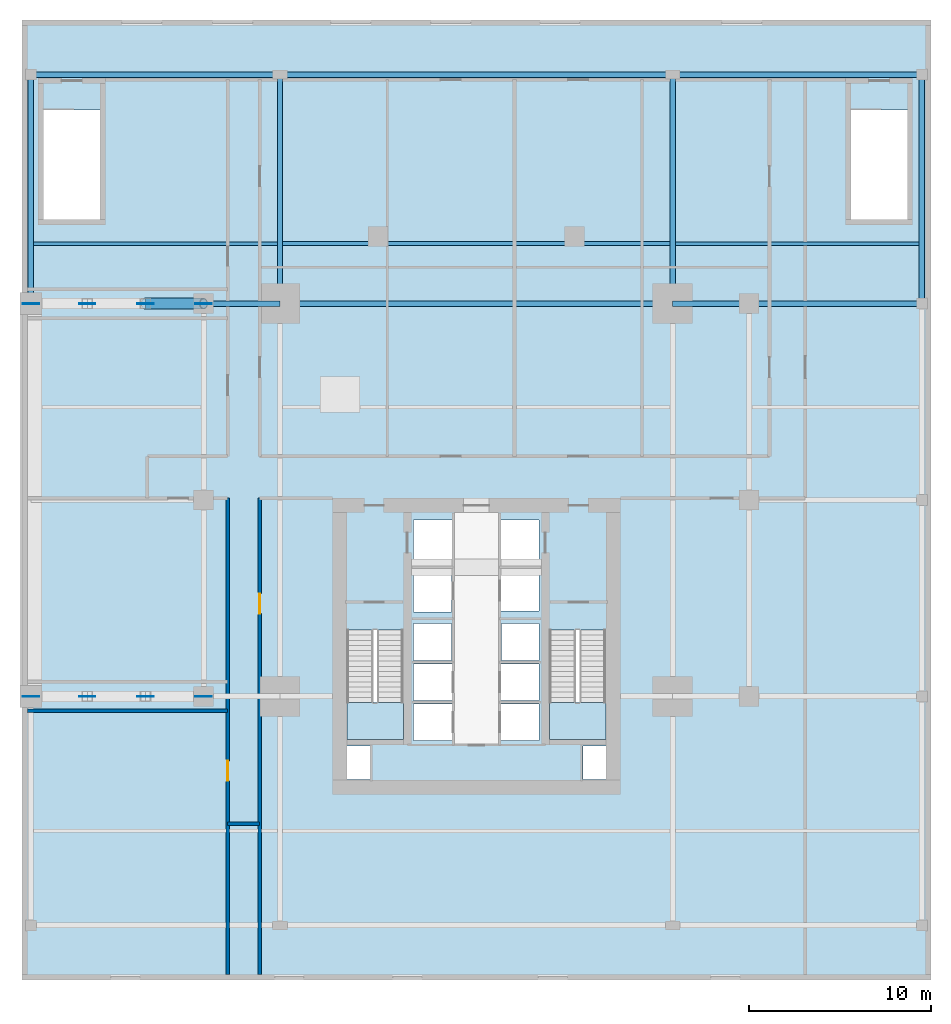
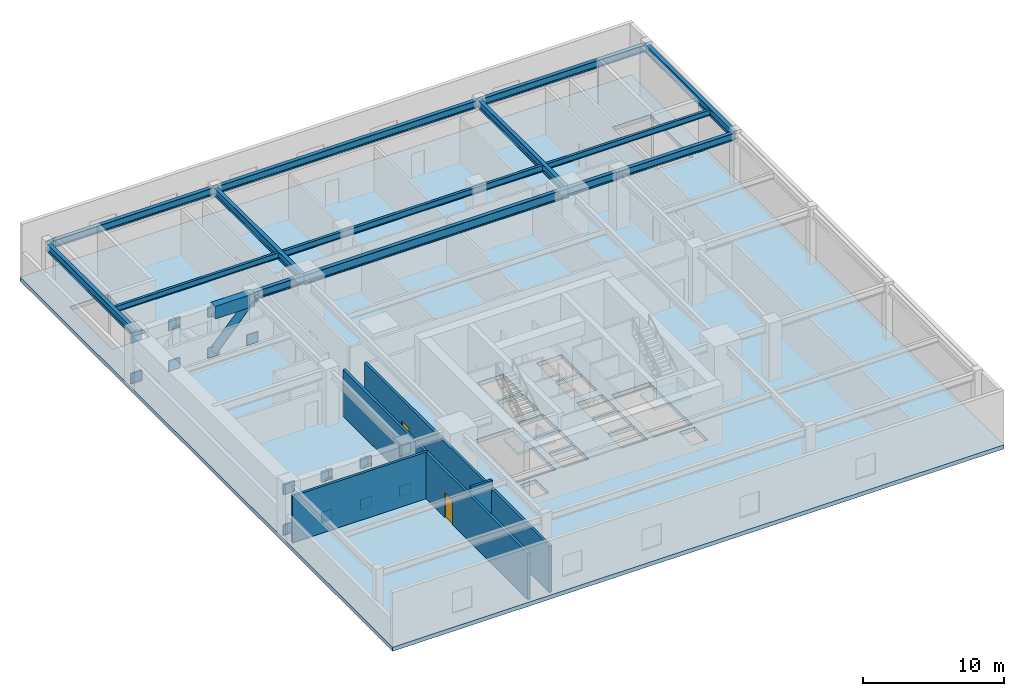
# One storey, part 2 of 7: 16 plates, 15 beams, 4 walls, 3 slabs, 2 doors, 1 member, 2 openings, 2 elements without a shape of their own.
"""IFC4 building model written with IfcOpenShell, lengths in metres."""

from ifc_helpers import new_model, si_unit, direction, frame, frame_2d, origin, origin_2d, place, context, subcontext, project, spatial, polyline, rectangle, hollow_rectangle, hollow_circle, i_section, outline, extrude, source, transform, mapped, material, layer, layer_set, material_profile, profile_set, type_object, type_shapes, element, fill, aggregate, save


model = new_model("IFC4")

# Units and contexts
model_context = context("Model", 3, precision=1e-05, world=origin(), true_north=direction((0.0, 1.0)))
body_context = subcontext(model_context, "Body", "Model", "MODEL_VIEW")
ifc_project = project(units=[si_unit("LENGTHUNIT", "METRE"), si_unit("AREAUNIT", "SQUARE_METRE"), si_unit("VOLUMEUNIT", "CUBIC_METRE"), si_unit("PLANEANGLEUNIT", "RADIAN"), si_unit("MASSUNIT", "GRAM", prefix="KILO")], contexts=[model_context])

# Site, building, storey
site_placement = place(None, origin())
site = spatial("IfcSite", under=ifc_project, at=site_placement, CompositionType="ELEMENT")
building_placement = place(site_placement, origin())
building = spatial("IfcBuilding", under=site, at=building_placement, Name="Krantzveldt Concourse Tower", CompositionType="ELEMENT")
storey_placement = place(building_placement, frame((0.0, 0.0, 20.0)))
storey = spatial("IfcBuildingStorey", under=building, at=storey_placement, Name="L04", CompositionType="ELEMENT", Elevation=20.0)

# Beams
ifc_material_1 = material(Name="Steel S355J2", Category="steel")
ifc_material_profile_1 = material_profile(ifc_material_1, i_section(OverallWidth=0.300048828125, OverallDepth=0.800048828125, WebThickness=0.017578125, FlangeThickness=0.032958984375, FilletRadius=0.030029296875, at=origin_2d()), Name="Steel S355J2", Category="steel")
ifc_profile_set_1 = profile_set([ifc_material_profile_1], Name="Steel S355J2 - HEB 800")
beam_type_1 = type_object("IfcBeamType", Name="BM-B-HEB800", PredefinedType="BEAM", material=ifc_profile_set_1)
shared_shape_1 = source(origin(), body_context, "Body", "SweptSolid", [
    extrude(i_section(OverallWidth=0.300048828125, OverallDepth=0.800048828125, WebThickness=0.017578125, FlangeThickness=0.032958984375, FilletRadius=0.030029296875, at=origin_2d()), origin(), (0.0, 0.0, 1.0), 21.60009765625),
])
type_shapes(beam_type_1, [shared_shape_1])
beam_1_placement = place(storey_placement, frame((25.199951171875, 37.5, 4.320068359375), z_axis=(1.0, 0.0, 0.0), x_axis=(0.0, 1.0, 0.0)))
element("IfcBeam", 1, at=beam_1_placement, inside=storey, type_object=beam_type_1, Name="L04 Podium Primary Girder BG-MN", PredefinedType="BEAM", context=body_context, shape_type="MappedRepresentation", body=[
    mapped(shared_shape_1, transform((0.0, 0.0, 0.0), x_axis=(1.0, 0.0, 0.0), y_axis=(0.0, 1.0, 0.0), z_axis=(0.0, 0.0, 1.0), scale=1.0)),
])
ifc_material_profile_2 = material_profile(ifc_material_1, i_section(OverallWidth=0.300048828125, OverallDepth=0.699951171875, WebThickness=0.01708984375, FlangeThickness=0.031982421875, FilletRadius=0.027099609375, at=origin_2d()), Name="Steel S355J2", Category="steel")
ifc_profile_set_2 = profile_set([ifc_material_profile_2], Name="Steel S355J2 - HEB 700")
beam_type_2 = type_object("IfcBeamType", Name="BM-B-HEB700", PredefinedType="BEAM", material=ifc_profile_set_2)
shared_shape_2 = source(origin(), body_context, "Body", "SweptSolid", [
    extrude(i_section(OverallWidth=0.300048828125, OverallDepth=0.699951171875, WebThickness=0.01708984375, FlangeThickness=0.031982421875, FilletRadius=0.027099609375, at=origin_2d()), origin(), (0.0, 0.0, 1.0), 4.199951171875),
])
type_shapes(beam_type_2, [shared_shape_2])
for number, where, z_axis, x_axis, name in (
    (2, (21.0, 37.5, 4.3701171875), (1.0, 0.0, 0.0), (0.0, 1.0, 0.0), "L04 Podium Primary Girder BG-RL3"),
    (3, (46.800048828125, 37.5, 4.3701171875), (1.0, 0.0, 0.0), (0.0, 1.0, 0.0), "L04 Podium Primary Girder BG-RR3"),
):
    element("IfcBeam", number, at=place(storey_placement, frame(where, z_axis=z_axis, x_axis=x_axis)), inside=storey, type_object=beam_type_2, Name=name, PredefinedType="BEAM", context=body_context, shape_type="MappedRepresentation", body=[
        mapped(shared_shape_2, transform((0.0, 0.0, 0.0), x_axis=(1.0, 0.0, 0.0), y_axis=(0.0, 1.0, 0.0), z_axis=(0.0, 0.0, 1.0), scale=1.0)),
    ])
ifc_material_2 = material(Name="Steel S355JR", Category="steel")
ifc_material_profile_3 = material_profile(ifc_material_2, i_section(OverallWidth=0.300048828125, OverallDepth=0.68994140625, WebThickness=0.014404296875, FlangeThickness=0.027099609375, FilletRadius=0.027099609375, at=origin_2d()), Name="Steel S355JR", Category="steel")
ifc_profile_set_3 = profile_set([ifc_material_profile_3], Name="Steel S355JR - HEA 700")
beam_type_3 = type_object("IfcBeamType", Name="BM-B-HEA700", PredefinedType="BEAM", material=ifc_profile_set_3)
shared_shape_3 = source(origin(), body_context, "Body", "SweptSolid", [
    extrude(i_section(OverallWidth=0.300048828125, OverallDepth=0.68994140625, WebThickness=0.014404296875, FlangeThickness=0.027099609375, FilletRadius=0.027099609375, at=origin_2d()), origin(), (0.0, 0.0, 1.0), 12.60009765625),
])
type_shapes(beam_type_3, [shared_shape_3])
for number, where, z_axis, x_axis, name in (
    (4, (25.199951171875, 37.5, 4.375), (0.0, 1.0, 0.0), (-1.0, 0.0, 0.0), "L04 Podium Primary Girder BG-PN1"),
    (5, (46.800048828125, 37.5, 4.375), (0.0, 1.0, 0.0), (-1.0, 0.0, 0.0), "L04 Podium Primary Girder BG-PN2"),
    (6, (11.5, 37.5, 4.375), (0.0, 1.0, 0.0), (-1.0, 0.0, 0.0), "L04 Podium Primary Girder BG-IW-3"),
    (7, (60.5, 37.5, 4.375), (0.0, 1.0, 0.0), (-1.0, 0.0, 0.0), "L04 Podium Primary Girder BG-IE-4"),
):
    element("IfcBeam", number, at=place(storey_placement, frame(where, z_axis=z_axis, x_axis=x_axis)), inside=storey, type_object=beam_type_3, Name=name, PredefinedType="BEAM", context=body_context, shape_type="MappedRepresentation", body=[
        mapped(shared_shape_3, transform((0.0, 0.0, 0.0), x_axis=(1.0, 0.0, 0.0), y_axis=(0.0, 1.0, 0.0), z_axis=(0.0, 0.0, 1.0), scale=1.0)),
    ])
ifc_material_profile_4 = material_profile(ifc_material_2, i_section(OverallWidth=0.300048828125, OverallDepth=0.639892578125, WebThickness=0.013427734375, FlangeThickness=0.02587890625, FilletRadius=0.027099609375, at=origin_2d()), Name="Steel S355JR", Category="steel")
ifc_profile_set_4 = profile_set([ifc_material_profile_4], Name="Steel S355JR - HEA 650")
beam_type_4 = type_object("IfcBeamType", Name="BM-B-HEA650", PredefinedType="BEAM", material=ifc_profile_set_4)
shared_shape_4 = source(origin(), body_context, "Body", "SweptSolid", [
    extrude(i_section(OverallWidth=0.300048828125, OverallDepth=0.639892578125, WebThickness=0.013427734375, FlangeThickness=0.02587890625, FilletRadius=0.027099609375, at=origin_2d()), origin(), (0.0, 0.0, 1.0), 13.699951171875),
])
for number, where, z_axis, x_axis, name in (
    (8, (11.5, 50.10009765625, 4.39990234375), (1.0, 0.0, 0.0), (0.0, 1.0, 0.0), "L04 Podium Primary Girder BG-NN1"),
    (9, (46.800048828125, 50.10009765625, 4.39990234375), (1.0, 0.0, 0.0), (0.0, 1.0, 0.0), "L04 Podium Primary Girder BG-NN3"),
):
    element("IfcBeam", number, at=place(storey_placement, frame(where, z_axis=z_axis, x_axis=x_axis)), inside=storey, type_object=beam_type_4, Name=name, PredefinedType="BEAM", context=body_context, shape_type="MappedRepresentation", body=[
        mapped(shared_shape_4, transform((0.0, 0.0, 0.0), x_axis=(1.0, 0.0, 0.0), y_axis=(0.0, 1.0, 0.0), z_axis=(0.0, 0.0, 1.0), scale=1.0)),
    ])
shared_shape_5 = source(origin(), body_context, "Body", "SweptSolid", [
    extrude(i_section(OverallWidth=0.300048828125, OverallDepth=0.639892578125, WebThickness=0.013427734375, FlangeThickness=0.02587890625, FilletRadius=0.027099609375, at=origin_2d()), origin(), (0.0, 0.0, 1.0), 21.60009765625),
])
beam_2_placement = place(storey_placement, frame((25.199951171875, 50.10009765625, 4.39990234375), z_axis=(1.0, 0.0, 0.0), x_axis=(0.0, 1.0, 0.0)))
element("IfcBeam", 10, at=beam_2_placement, inside=storey, type_object=beam_type_4, Name="L04 Podium Primary Girder BG-NN2", PredefinedType="BEAM", context=body_context, shape_type="MappedRepresentation", body=[
    mapped(shared_shape_5, transform((0.0, 0.0, 0.0), x_axis=(1.0, 0.0, 0.0), y_axis=(0.0, 1.0, 0.0), z_axis=(0.0, 0.0, 1.0), scale=1.0)),
])
shared_shape_6 = source(origin(), body_context, "Body", "SweptSolid", [
    extrude(i_section(OverallWidth=0.300048828125, OverallDepth=0.639892578125, WebThickness=0.013427734375, FlangeThickness=0.02587890625, FilletRadius=0.027099609375, at=origin_2d()), origin(), (0.0, 0.0, 1.0), 9.5),
])
type_shapes(beam_type_4, [shared_shape_4, shared_shape_5, shared_shape_6])
beam_3_placement = place(storey_placement, frame((51.0, 37.5, 4.39990234375), z_axis=(1.0, 0.0, 0.0), x_axis=(0.0, 1.0, 0.0)))
element("IfcBeam", 11, at=beam_3_placement, inside=storey, type_object=beam_type_4, Name="L04 Podium Primary Girder BG-ME3", PredefinedType="BEAM", context=body_context, shape_type="MappedRepresentation", body=[
    mapped(shared_shape_6, transform((0.0, 0.0, 0.0), x_axis=(1.0, 0.0, 0.0), y_axis=(0.0, 1.0, 0.0), z_axis=(0.0, 0.0, 1.0), scale=1.0)),
])
ifc_material_profile_5 = material_profile(ifc_material_2, i_section(OverallWidth=0.2099609375, OverallDepth=0.550048828125, WebThickness=0.010986328125, FlangeThickness=0.01708984375, FilletRadius=0.02392578125, at=origin_2d()), Name="Steel S355JR", Category="steel")
ifc_profile_set_5 = profile_set([ifc_material_profile_5], Name="Steel S355JR - IPE 550")
beam_type_5 = type_object("IfcBeamType", Name="BM-J-IPE550", PredefinedType="JOIST", material=ifc_profile_set_5)
shared_shape_7 = source(origin(), body_context, "Body", "SweptSolid", [
    extrude(i_section(OverallWidth=0.2099609375, OverallDepth=0.550048828125, WebThickness=0.010986328125, FlangeThickness=0.01708984375, FilletRadius=0.02392578125, at=origin_2d()), origin(), (0.0, 0.0, 1.0), 21.2998046875),
])
type_shapes(beam_type_5, [shared_shape_7])
beam_4_placement = place(storey_placement, frame((25.35009765625, 40.800048828125, 4.445068359375), z_axis=(1.0, 0.0, 0.0), x_axis=(0.0, 1.0, 0.0)))
element("IfcBeam", 12, at=beam_4_placement, inside=storey, type_object=beam_type_5, Name="L04 Central Floor Joist 3", PredefinedType="JOIST", context=body_context, shape_type="MappedRepresentation", body=[
    mapped(shared_shape_7, transform((0.0, 0.0, 0.0), x_axis=(1.0, 0.0, 0.0), y_axis=(0.0, 1.0, 0.0), z_axis=(0.0, 0.0, 1.0), scale=1.0)),
])
ifc_material_profile_6 = material_profile(ifc_material_2, i_section(OverallWidth=0.199951171875, OverallDepth=0.5, WebThickness=0.01025390625, FlangeThickness=0.01611328125, FilletRadius=0.02099609375, at=origin_2d()), Name="Steel S355JR", Category="steel")
ifc_profile_set_6 = profile_set([ifc_material_profile_6], Name="Steel S355JR - IPE 500")
beam_type_6 = type_object("IfcBeamType", Name="BM-J-IPE500", PredefinedType="JOIST", material=ifc_profile_set_6)
shared_shape_8 = source(origin(), body_context, "Body", "SweptSolid", [
    extrude(i_section(OverallWidth=0.199951171875, OverallDepth=0.5, WebThickness=0.01025390625, FlangeThickness=0.01611328125, FilletRadius=0.02099609375, at=origin_2d()), origin(), (0.0, 0.0, 1.0), 13.400146484375),
])
type_shapes(beam_type_6, [shared_shape_8])
for number, where, z_axis, x_axis, name in (
    (13, (11.64990234375, 40.800048828125, 4.469970703125), (1.0, 0.0, 0.0), (0.0, 1.0, 0.0), "L04 West Inner Joist 3"),
    (14, (46.949951171875, 40.800048828125, 4.469970703125), (1.0, 0.0, 0.0), (0.0, 1.0, 0.0), "L04 East Inner Joist 3"),
):
    element("IfcBeam", number, at=place(storey_placement, frame(where, z_axis=z_axis, x_axis=x_axis)), inside=storey, type_object=beam_type_6, Name=name, PredefinedType="JOIST", context=body_context, shape_type="MappedRepresentation", body=[
        mapped(shared_shape_8, transform((0.0, 0.0, 0.0), x_axis=(1.0, 0.0, 0.0), y_axis=(0.0, 1.0, 0.0), z_axis=(0.0, 0.0, 1.0), scale=1.0)),
    ])
ifc_material_profile_7 = material_profile(ifc_material_1, hollow_rectangle(XDim=0.60009765625, YDim=1.10009765625, WallThickness=0.054931640625, at=origin_2d()), Name="Steel S355J2", Category="steel")
ifc_profile_set_7 = profile_set([ifc_material_profile_7], Name="Steel S355J2 - RHS 1100x600x55")
beam_type_7 = type_object("IfcBeamType", Name="BM-TT-CHD1100", PredefinedType="BEAM", material=ifc_profile_set_7)
shared_shape_9 = source(origin(), body_context, "Body", "SweptSolid", [
    extrude(hollow_rectangle(XDim=0.60009765625, YDim=1.10009765625, WallThickness=0.054931640625, at=origin_2d()), origin(), (0.0, 0.0, 1.0), 3.199951171875),
])
type_shapes(beam_type_7, [shared_shape_9])
beam_5_placement = place(storey_placement, frame((17.800048828125, 37.5, 4.169921875), z_axis=(1.0, 0.0, 0.0), x_axis=(0.0, 1.0, 0.0)))
element("IfcBeam", 15, at=beam_5_placement, inside=storey, type_object=beam_type_7, Name="TT2-TC-3", PredefinedType="BEAM", context=body_context, shape_type="MappedRepresentation", body=[
    mapped(shared_shape_9, transform((0.0, 0.0, 0.0), x_axis=(1.0, 0.0, 0.0), y_axis=(0.0, 1.0, 0.0), z_axis=(0.0, 0.0, 1.0), scale=1.0)),
])

# Member
ifc_material_profile_8 = material_profile(ifc_material_1, hollow_circle(Radius=0.304931640625, WallThickness=0.044921875, at=origin_2d()), Name="Steel S355J2", Category="steel")
ifc_profile_set_8 = profile_set([ifc_material_profile_8], Name="Steel S355J2 - CHS 610x45")
member_type = type_object("IfcMemberType", Name="MB-OB-CHS610", PredefinedType="BRACE", material=ifc_profile_set_8)
shared_shape_10 = source(origin(), body_context, "Body", "SweptSolid", [
    extrude(hollow_circle(Radius=0.304931640625, WallThickness=0.044921875, at=origin_2d()), origin(), (0.0, 0.0, 1.0), 4.757080078125),
])
type_shapes(member_type, [shared_shape_10])
member_placement = place(storey_placement, frame((17.800048828125, 37.5, 0.64990234375), z_axis=(0.672665130635, 0.0, 0.739947040016), x_axis=(0.0, 1.0, 0.0)))
element("IfcMember", 16, at=member_placement, inside=storey, type_object=member_type, Name="Brace Diagonal TT2-DG-3", PredefinedType="BRACE", context=body_context, shape_type="MappedRepresentation", body=[
    mapped(shared_shape_10, transform((0.0, 0.0, 0.0), x_axis=(1.0, 0.0, 0.0), y_axis=(0.0, 1.0, 0.0), z_axis=(0.0, 0.0, 1.0), scale=1.0)),
])

# Stair, slab
ifc_material_3 = material(Name="Precast concrete C40/50", Category="concrete")
stair_type = type_object("IfcStairType", Name="STR-CORE-DOGLEG", PredefinedType="HALF_TURN_STAIR", material=ifc_material_3)
stair_1_placement = place(storey_placement, origin())
stair_1 = element("IfcStair", 17, at=stair_1_placement, inside=storey, type_object=stair_type, Name="L04 Protected Escape Stair ST-1", PredefinedType="HALF_TURN_STAIR")
ifc_layer_1 = layer(ifc_material_3, 0.199951171875, Name="Precast concrete C40/50", Category="concrete")
ifc_layer_set_1 = layer_set([ifc_layer_1], Name="Precast concrete C40/50 (SL-LANDING-200)")
slab_type_1 = type_object("IfcSlabType", Name="SL-LANDING-200", PredefinedType="LANDING", material=ifc_layer_set_1)
slab_1_placement = place(storey_placement, frame((0.0, 0.0, 2.300048828125)))
slab_1 = element("IfcSlab", 18, at=slab_1_placement, type_object=slab_type_1, Name="ST-1 landing 1", PredefinedType="LANDING", context=body_context, shape_type="SweptSolid", body=[
    extrude(outline(polyline([(28.8798828125, 15.56005859375), (28.8798828125, 13.52001953125), (31.97998046875, 13.52001953125), (31.97998046875, 15.56005859375), (28.8798828125, 15.56005859375)])), origin(), (0.0, 0.0, 1.0), 0.199951171875),
])
aggregate(stair_1, [slab_1])

stair_2_placement = place(storey_placement, origin())
stair_2 = element("IfcStair", 19, at=stair_2_placement, inside=storey, type_object=stair_type, Name="L04 Protected Escape Stair ST-2", PredefinedType="HALF_TURN_STAIR")
slab_2_placement = place(storey_placement, frame((0.0, 0.0, 2.300048828125)))
slab_2 = element("IfcSlab", 20, at=slab_2_placement, type_object=slab_type_1, Name="ST-2 landing 1", PredefinedType="LANDING", context=body_context, shape_type="SweptSolid", body=[
    extrude(outline(polyline([(40.02001953125, 15.56005859375), (40.02001953125, 13.52001953125), (43.1201171875, 13.52001953125), (43.1201171875, 15.56005859375), (40.02001953125, 15.56005859375)])), origin(), (0.0, 0.0, 1.0), 0.199951171875),
])
aggregate(stair_2, [slab_2])

# Slab
ifc_material_4 = material(Name="Concrete C50/60", Category="concrete")
ifc_layer_2 = layer(ifc_material_4, 0.35009765625, Name="Concrete C50/60", Category="concrete")
ifc_layer_set_2 = layer_set([ifc_layer_2], Name="Concrete C50/60 (SL-SL-POD350)")
slab_type_2 = type_object("IfcSlabType", Name="SL-SL-POD350", PredefinedType="FLOOR", material=ifc_layer_set_2)
slab_3_placement = place(storey_placement, frame((0.0, 0.0, -0.35009765625)))
element("IfcSlab", 21, at=slab_3_placement, inside=storey, type_object=slab_type_2, Name="SL-L04-MAIN", PredefinedType="FLOOR", context=body_context, shape_type="SweptSolid", body=[
    extrude(outline(polyline([(11.0, 0.300048828125), (61.0, 0.300048828125), (61.0, 53.10009765625), (11.0, 53.10009765625), (11.0, 0.300048828125)]), holes=[polyline([(28.8798828125, 19.547607421875), (28.8798828125, 13.52001953125), (31.97998046875, 13.52001953125), (31.97998046875, 19.547607421875), (28.8798828125, 19.547607421875)]), polyline([(40.02001953125, 19.547607421875), (40.02001953125, 13.52001953125), (43.1201171875, 13.52001953125), (43.1201171875, 19.547607421875), (40.02001953125, 19.547607421875)]), polyline([(12.199951171875, 48.1474609375), (12.199951171875, 42.1201171875), (15.300048828125, 42.1201171875), (15.300048828125, 48.1474609375), (12.199951171875, 48.1474609375)]), polyline([(56.60009765625, 48.1474609375), (56.60009765625, 42.1201171875), (59.699951171875, 42.1201171875), (59.699951171875, 48.1474609375), (56.60009765625, 48.1474609375)]), polyline([(32.550048828125, 23.10009765625), (34.64990234375, 23.10009765625), (34.64990234375, 25.60009765625), (32.550048828125, 25.60009765625), (32.550048828125, 23.10009765625)]), polyline([(37.35009765625, 23.10009765625), (39.449951171875, 23.10009765625), (39.449951171875, 25.60009765625), (37.35009765625, 25.60009765625), (37.35009765625, 23.10009765625)]), polyline([(37.35009765625, 20.60009765625), (39.449951171875, 20.60009765625), (39.449951171875, 22.89990234375), (37.35009765625, 22.89990234375), (37.35009765625, 20.60009765625)]), polyline([(32.550048828125, 13.47998046875), (34.64990234375, 13.47998046875), (34.64990234375, 15.47998046875), (32.550048828125, 15.47998046875), (32.550048828125, 13.47998046875)]), polyline([(32.550048828125, 15.679931640625), (34.64990234375, 15.679931640625), (34.64990234375, 17.679931640625), (32.550048828125, 17.679931640625), (32.550048828125, 15.679931640625)]), polyline([(37.35009765625, 13.47998046875), (39.449951171875, 13.47998046875), (39.449951171875, 15.47998046875), (37.35009765625, 15.47998046875), (37.35009765625, 13.47998046875)]), polyline([(37.35009765625, 15.679931640625), (39.449951171875, 15.679931640625), (39.449951171875, 17.679931640625), (37.35009765625, 17.679931640625), (37.35009765625, 15.679931640625)]), polyline([(32.550048828125, 20.550048828125), (34.6201171875, 20.550048828125), (34.6201171875, 22.89990234375), (32.550048828125, 22.89990234375), (32.550048828125, 20.550048828125)]), polyline([(32.550048828125, 17.8798828125), (34.6201171875, 17.8798828125), (34.6201171875, 19.919921875), (32.550048828125, 19.919921875), (32.550048828125, 17.8798828125)]), polyline([(37.3798828125, 17.8798828125), (39.449951171875, 17.8798828125), (39.449951171875, 19.919921875), (37.3798828125, 19.919921875), (37.3798828125, 17.8798828125)]), polyline([(28.8798828125, 11.320068359375), (30.139892578125, 11.320068359375), (30.139892578125, 13.159912109375), (28.8798828125, 13.159912109375), (28.8798828125, 11.320068359375)]), polyline([(41.860107421875, 11.320068359375), (43.1201171875, 11.320068359375), (43.1201171875, 13.159912109375), (41.860107421875, 13.159912109375), (41.860107421875, 11.320068359375)])]), origin(), (0.0, 0.0, 1.0), 0.35009765625),
])

# Plates
ifc_layer_3 = layer(ifc_material_1, 0.0400390625, Name="Steel S355J2", Category="steel")
ifc_layer_set_3 = layer_set([ifc_layer_3], Name="Steel S355J2 (PL-GUSSET-40)")
plate_type = type_object("IfcPlateType", Name="PL-GUSSET-40", PredefinedType="USERDEFINED", material=ifc_layer_set_3)
shared_shape_11 = source(origin(), body_context, "Body", "SweptSolid", [
    extrude(rectangle(XDim=0.89990234375, YDim=0.0400390625, at=origin_2d()), origin(), (0.0, 0.0, 1.0), 0.89990234375),
])
type_shapes(plate_type, [shared_shape_11])
for number, where, z_axis, x_axis, name in (
    (22, (11.5, 15.89990234375, 0.199951171875), (0.0, 0.0, 1.0), (1.0, 0.0, 0.0), "TT1-GPB-1"),
    (23, (11.5, 15.89990234375, 3.719970703125), (0.0, 0.0, 1.0), (1.0, 0.0, 0.0), "TT1-GTU-1"),
    (24, (14.60009765625, 15.89990234375, 0.199951171875), (0.0, 0.0, 1.0), (1.0, 0.0, 0.0), "TT1-GPB-2"),
    (25, (14.60009765625, 15.89990234375, 3.719970703125), (0.0, 0.0, 1.0), (1.0, 0.0, 0.0), "TT1-GTU-2"),
    (26, (17.800048828125, 15.89990234375, 0.199951171875), (0.0, 0.0, 1.0), (1.0, 0.0, 0.0), "TT1-GPB-3"),
    (27, (17.800048828125, 15.89990234375, 3.719970703125), (0.0, 0.0, 1.0), (1.0, 0.0, 0.0), "TT1-GTU-3"),
    (28, (21.0, 15.89990234375, 0.199951171875), (0.0, 0.0, 1.0), (1.0, 0.0, 0.0), "TT1-GPB-4"),
    (29, (21.0, 15.89990234375, 3.719970703125), (0.0, 0.0, 1.0), (1.0, 0.0, 0.0), "TT1-GTU-4"),
    (30, (11.5, 37.5, 0.199951171875), (0.0, 0.0, 1.0), (1.0, 0.0, 0.0), "TT2-GPB-1"),
    (31, (11.5, 37.5, 3.719970703125), (0.0, 0.0, 1.0), (1.0, 0.0, 0.0), "TT2-GTU-1"),
    (32, (14.60009765625, 37.5, 0.199951171875), (0.0, 0.0, 1.0), (1.0, 0.0, 0.0), "TT2-GPB-2"),
    (33, (14.60009765625, 37.5, 3.719970703125), (0.0, 0.0, 1.0), (1.0, 0.0, 0.0), "TT2-GTU-2"),
    (34, (17.800048828125, 37.5, 0.199951171875), (0.0, 0.0, 1.0), (1.0, 0.0, 0.0), "TT2-GPB-3"),
    (35, (17.800048828125, 37.5, 3.719970703125), (0.0, 0.0, 1.0), (1.0, 0.0, 0.0), "TT2-GTU-3"),
    (36, (21.0, 37.5, 0.199951171875), (0.0, 0.0, 1.0), (1.0, 0.0, 0.0), "TT2-GPB-4"),
    (37, (21.0, 37.5, 3.719970703125), (0.0, 0.0, 1.0), (1.0, 0.0, 0.0), "TT2-GTU-4"),
):
    element("IfcPlate", number, at=place(storey_placement, frame(where, z_axis=z_axis, x_axis=x_axis)), inside=storey, type_object=plate_type, Name=name, ObjectType="GUSSET PLATE", PredefinedType="USERDEFINED", context=body_context, shape_type="MappedRepresentation", body=[
        mapped(shared_shape_11, transform((0.0, 0.0, 0.0), x_axis=(1.0, 0.0, 0.0), y_axis=(0.0, 1.0, 0.0), z_axis=(0.0, 0.0, 1.0), scale=1.0)),
    ])

# Wall
ifc_material_5 = material(Name="Fire-rated gypsum plasterboard on steel stud", Category="steel")
ifc_layer_4 = layer(ifc_material_5, 0.199951171875, Name="Fire-rated gypsum plasterboard on steel stud", Category="steel")
ifc_layer_set_4 = layer_set([ifc_layer_4], Name="Fire-rated gypsum plasterboard on steel stud (WL-PART-FR200)")
wall_type = type_object("IfcWallType", Name="WL-PART-FR200", PredefinedType="PARTITIONING", material=ifc_layer_set_4)
wall_1_placement = place(storey_placement, frame((11.304931640625, 15.10009765625, 0.0), z_axis=(0.0, 0.0, 1.0), x_axis=(1.0, 0.0, 0.0)))
element("IfcWall", 38, at=wall_1_placement, inside=storey, type_object=wall_type, Name="WP-L04-TT1S", PredefinedType="PARTITIONING", context=body_context, shape_type="SweptSolid", body=[
    extrude(rectangle(XDim=11.01513671875, YDim=0.199951171875, at=frame_2d((5.507568359375, 0.0))), origin(), (0.0, 0.0, 1.0), 4.030029296875),
])

# Wall, opening, door
wall_2_placement = place(storey_placement, frame((22.320068359375, 0.60498046875, 0.0), z_axis=(0.0, 0.0, 1.0), x_axis=(0.0, 1.0, 0.0)))
wall_2 = element("IfcWall", 39, at=wall_2_placement, inside=storey, type_object=wall_type, Name="WP-L04-WLS", PredefinedType="PARTITIONING", context=body_context, shape_type="SweptSolid", body=[
    extrude(rectangle(XDim=26.195068359375, YDim=0.199951171875, at=frame_2d((13.09765625, 0.0))), origin(), (0.0, 0.0, 1.0), 4.02001953125),
])
opening_1_placement = place(wall_2_placement, frame((10.64501953125, 0.0, 0.0)))
opening_1 = element("IfcOpeningElement", 40, at=opening_1_placement, cuts=wall_2, Name="Opening D-FD110", PredefinedType="OPENING", context=body_context, shape_type="SweptSolid", body=[
    extrude(rectangle(XDim=1.10009765625, YDim=2.14990234375, at=frame_2d((0.550048828125, 1.074951171875))), frame((0.0, 0.10986328125, 0.0), z_axis=(0.0, -1.0, 0.0), x_axis=(1.0, 0.0, 0.0)), (0.0, 0.0, 1.0), 0.219970703125),
])
ifc_material_6 = material(Name="Galvanised steel", Category="steel")
door_type = type_object("IfcDoorType", Name="DR-FD120-1100", OperationType="SINGLE_SWING_LEFT", PredefinedType="DOOR", material=ifc_material_6)
door_1_placement = place(opening_1_placement, origin())
door_1 = element("IfcDoor", 41, at=door_1_placement, inside=storey, type_object=door_type, Name="DR-L04-CHIL1S", OperationType="SINGLE_SWING_LEFT", OverallHeight=2.14990234375, OverallWidth=1.10009765625, PredefinedType="DOOR", context=body_context, shape_type="SweptSolid", body=[
    extrude(rectangle(XDim=1.10009765625, YDim=2.14990234375, at=frame_2d((0.550048828125, 1.074951171875))), frame((0.0, 0.02490234375, 0.0), z_axis=(0.0, -1.0, 0.0), x_axis=(1.0, 0.0, 0.0)), (0.0, 0.0, 1.0), 0.050048828125),
])
fill(opening_1, door_1)

wall_3_placement = place(storey_placement, frame((24.080078125, 0.60498046875, 0.0), z_axis=(0.0, 0.0, 1.0), x_axis=(0.0, 1.0, 0.0)))
wall_3 = element("IfcWall", 42, at=wall_3_placement, inside=storey, type_object=wall_type, Name="WP-L04-WRS", PredefinedType="PARTITIONING", context=body_context, shape_type="SweptSolid", body=[
    extrude(rectangle(XDim=26.195068359375, YDim=0.199951171875, at=frame_2d((13.09765625, 0.0))), origin(), (0.0, 0.0, 1.0), 4.02001953125),
])
opening_2_placement = place(wall_3_placement, frame((19.844970703125, 0.0, 0.0)))
opening_2 = element("IfcOpeningElement", 43, at=opening_2_placement, cuts=wall_3, Name="Opening D-FD110", PredefinedType="OPENING", context=body_context, shape_type="SweptSolid", body=[
    extrude(rectangle(XDim=1.10009765625, YDim=2.14990234375, at=frame_2d((0.550048828125, 1.074951171875))), frame((0.0, 0.10986328125, 0.0), z_axis=(0.0, -1.0, 0.0), x_axis=(1.0, 0.0, 0.0)), (0.0, 0.0, 1.0), 0.219970703125),
])
door_2_placement = place(opening_2_placement, origin())
door_2 = element("IfcDoor", 44, at=door_2_placement, inside=storey, type_object=door_type, Name="DR-L04-CHIL2", OperationType="SINGLE_SWING_RIGHT", OverallHeight=2.14990234375, OverallWidth=1.10009765625, PredefinedType="DOOR", context=body_context, shape_type="SweptSolid", body=[
    extrude(rectangle(XDim=1.10009765625, YDim=2.14990234375, at=frame_2d((0.550048828125, 1.074951171875))), frame((0.0, 0.02490234375, 0.0), z_axis=(0.0, -1.0, 0.0), x_axis=(1.0, 0.0, 0.0)), (0.0, 0.0, 1.0), 0.050048828125),
])
fill(opening_2, door_2)

# Wall
wall_4_placement = place(storey_placement, frame((22.320068359375, 8.89990234375, 0.0), z_axis=(0.0, 0.0, 1.0), x_axis=(1.0, 0.0, 0.0)))
element("IfcWall", 45, at=wall_4_placement, inside=storey, type_object=wall_type, Name="WP-L04-SWB", PredefinedType="PARTITIONING", context=body_context, shape_type="SweptSolid", body=[
    extrude(rectangle(XDim=1.760009765625, YDim=0.199951171875, at=frame_2d((0.8798828125, 0.0))), origin(), (0.0, 0.0, 1.0), 4.719970703125),
])

save(model, "model.ifc")
